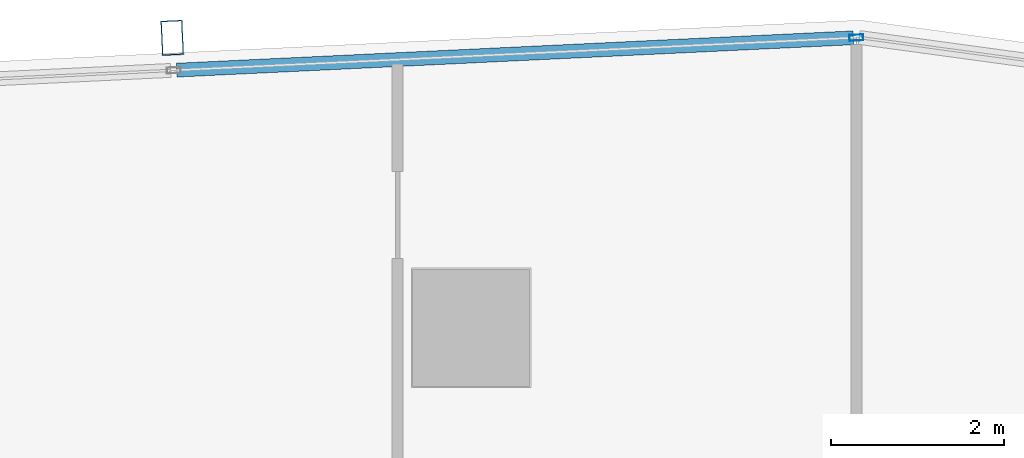
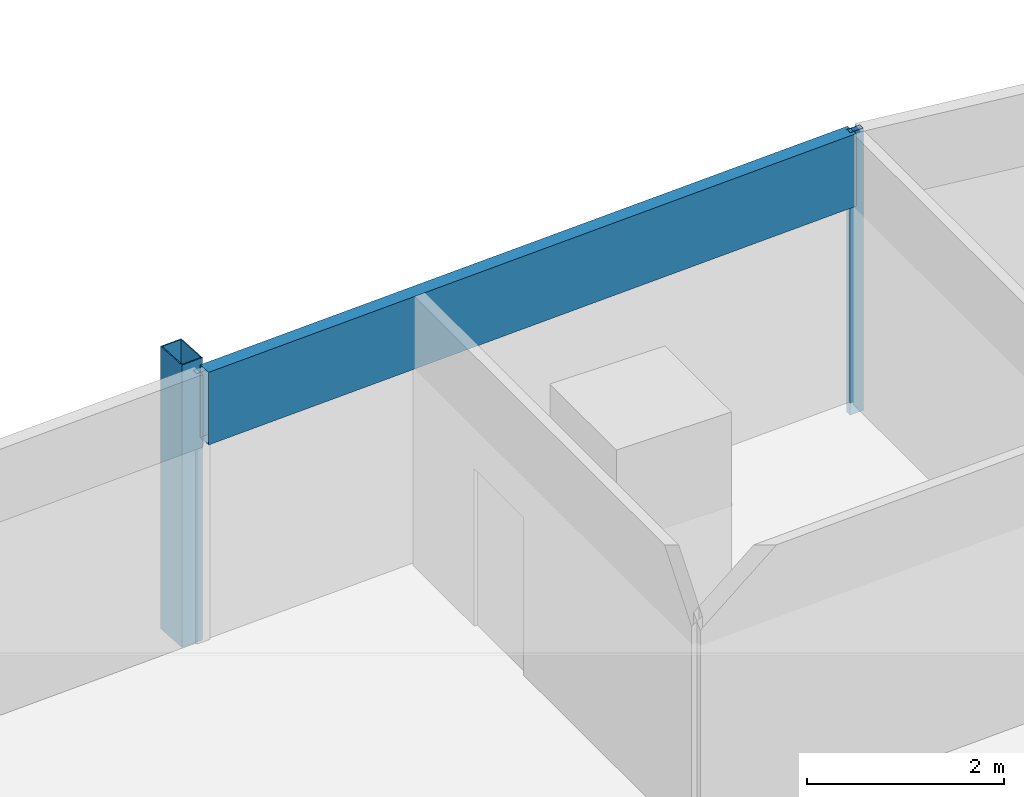
# One storey, part 25 of 40: 3 members, 1 element without a shape of its own.
"""IFC4 building model written with IfcOpenShell, lengths in metres."""

from ifc_helpers import new_model, si_unit, direction, frame, origin, origin_2d, place, context, subcontext, project, spatial, hollow_rectangle, extrude, material, material_profile, profile_set, type_object, element, aggregate, save


model = new_model("IFC4")

# Units and contexts
model_context = context("Model", 3, precision=1e-05, world=origin(), true_north=direction((0.0, 1.0)))
body_context = subcontext(model_context, "Body", "Model", "MODEL_VIEW")
ifc_project = project(units=[si_unit("LENGTHUNIT", "METRE"), si_unit("AREAUNIT", "SQUARE_METRE"), si_unit("VOLUMEUNIT", "CUBIC_METRE"), si_unit("PLANEANGLEUNIT", "RADIAN"), si_unit("MASSUNIT", "GRAM", prefix="KILO")], contexts=[model_context])

# Site, building, storey
site_placement = place(None, origin())
site = spatial("IfcSite", under=ifc_project, at=site_placement, CompositionType="ELEMENT")
building_placement = place(site_placement, origin())
building = spatial("IfcBuilding", under=site, at=building_placement, Name="Rekha Terrace Tower", CompositionType="ELEMENT")
storey_placement = place(building_placement, frame((0.0, 0.0, 213.949951171875)))
storey = spatial("IfcBuildingStorey", under=building, at=storey_placement, Name="L54", CompositionType="ELEMENT", Elevation=213.949951171875)

# Curtain wall, members
ifc_material_1 = material(Name="Aluminium framing", Category="aluminium")
curtain_wall_type = type_object("IfcCurtainWallType", Name="CW3 north unitised glazing", PredefinedType="USERDEFINED", material=ifc_material_1)
curtain_wall_placement = place(storey_placement, origin())
curtain_wall = element("IfcCurtainWall", 1, at=curtain_wall_placement, inside=storey, type_object=curtain_wall_type, Name="CW3 unitised curtain wall", ObjectType="UNITISED CURTAIN WALL", PredefinedType="USERDEFINED")
ifc_material_2 = material(Name="Steel S355 with fluorocarbon finish", Category="steel")
ifc_material_profile_1 = material_profile(ifc_material_2, hollow_rectangle(XDim=0.25, YDim=0.39990234375, WallThickness=0.012451171875, at=origin_2d()), Name="RHS400x250x12.5")
ifc_profile_set_1 = profile_set([ifc_material_profile_1], Name="Steel S355 with fluorocarbon finish")
member_type_1 = type_object("IfcMemberType", Name="BL1 facade blade RHS 400 x 250", PredefinedType="USERDEFINED", material=ifc_profile_set_1)
member_1_placement = place(storey_placement, frame((38.55224609375, 62.145751953125, 0.0), z_axis=(0.0, 0.0, 1.0), x_axis=(-0.998858913274, -0.04775846913, 0.0)))
member_1 = element("IfcMember", 2, at=member_1_placement, type_object=member_type_1, Name="Facade blade", ObjectType="FACADE BLADE", PredefinedType="USERDEFINED", context=body_context, shape_type="SweptSolid", body=[
    extrude(hollow_rectangle(XDim=0.25, YDim=0.39990234375, WallThickness=0.012451171875, at=origin_2d()), origin(), (0.0, 0.0, 1.0), 3.5),
])
ifc_material_3 = material(Name="Aluminium mullion section", Category="aluminium")
ifc_material_profile_2 = material_profile(ifc_material_3, hollow_rectangle(XDim=0.070068359375, YDim=0.159912109375, WallThickness=0.00390625, at=origin_2d()), Name="AL RHS 70x160")
ifc_profile_set_2 = profile_set([ifc_material_profile_2], Name="Aluminium mullion section")
member_type_2 = type_object("IfcMemberType", Name="CW3 mullion RHS 70 x 160", PredefinedType="MULLION", material=ifc_profile_set_2)
member_2_placement = place(storey_placement, frame((46.4443359375, 62.147705078125, 0.0), z_axis=(0.0, 0.0, 1.0), x_axis=(0.047758616983, -0.998858906204, 0.0)))
member_2 = element("IfcMember", 3, at=member_2_placement, type_object=member_type_2, Name="CW3 mullion 1", PredefinedType="MULLION", context=body_context, shape_type="SweptSolid", body=[
    extrude(hollow_rectangle(XDim=0.070068359375, YDim=0.159912109375, WallThickness=0.00390625, at=origin_2d()), origin(), (0.0, 0.0, 1.0), 3.5),
])
ifc_material_4 = material(Name="Insulated aluminium spandrel box", Category="aluminium")
ifc_material_profile_3 = material_profile(ifc_material_4, hollow_rectangle(XDim=0.159912109375, YDim=0.89990234375, WallThickness=0.0029296875, at=origin_2d()), Name="AL SPANDREL BOX 160x900")
ifc_profile_set_3 = profile_set([ifc_material_profile_3], Name="Insulated aluminium spandrel box")
member_type_3 = type_object("IfcMemberType", Name="CW3 spandrel transom 160 x 900", PredefinedType="USERDEFINED", material=ifc_profile_set_3)
member_3_placement = place(storey_placement, frame((46.4091796875, 62.14599609375, 3.050048828125), z_axis=(-0.998859425172, -0.047747761666, 0.0), x_axis=(0.047747761666, -0.998859425172, 0.0)))
member_3 = element("IfcMember", 4, at=member_3_placement, type_object=member_type_3, Name="CW3 spandrel transom 1", ObjectType="TRANSOM", PredefinedType="USERDEFINED", context=body_context, shape_type="SweptSolid", body=[
    extrude(hollow_rectangle(XDim=0.159912109375, YDim=0.89990234375, WallThickness=0.0029296875, at=origin_2d()), origin(), (0.0, 0.0, 1.0), 7.81298828125),
])
aggregate(curtain_wall, [member_2, member_3, member_1])

save(model, "model.ifc")
